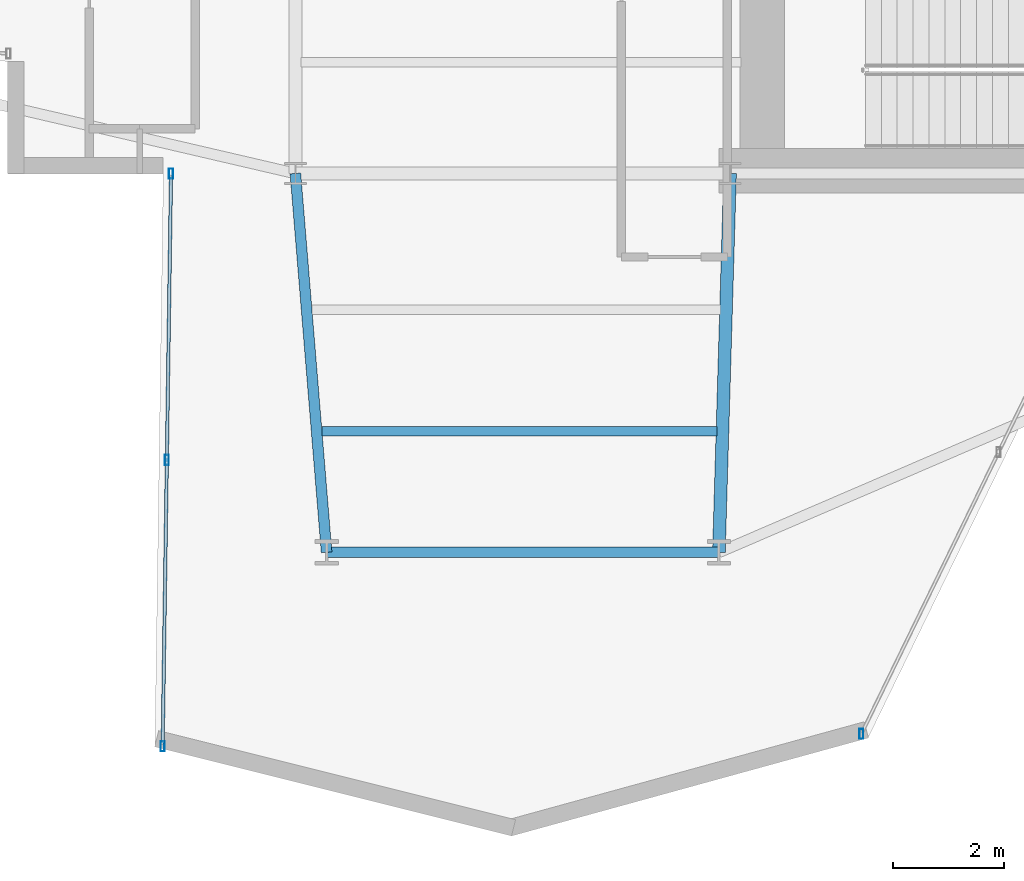
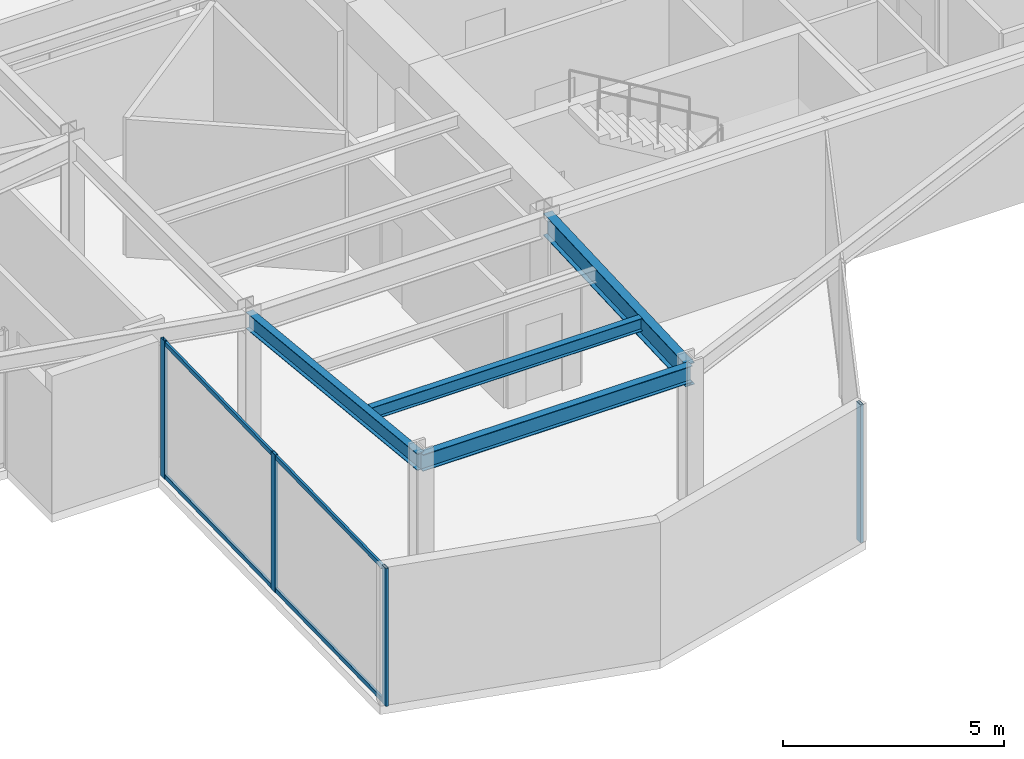
# One storey, part 4 of 25: 6 members, 4 beams, 2 elements without a shape of their own.
"""IFC4 building model written with IfcOpenShell, lengths in metres."""

from ifc_helpers import new_model, si_unit, direction, frame, origin, origin_2d, place, context, subcontext, project, spatial, hollow_rectangle, i_section, extrude, material, layer, layer_set, material_profile, profile_set, type_object, element, aggregate, save


model = new_model("IFC4")

# Units and contexts
model_context = context("Model", 3, precision=1e-05, world=origin(), true_north=direction((0.0, 1.0)))
body_context = subcontext(model_context, "Body", "Model", "MODEL_VIEW")
ifc_project = project(units=[si_unit("LENGTHUNIT", "METRE"), si_unit("AREAUNIT", "SQUARE_METRE"), si_unit("VOLUMEUNIT", "CUBIC_METRE"), si_unit("PLANEANGLEUNIT", "RADIAN"), si_unit("MASSUNIT", "GRAM", prefix="KILO")], contexts=[model_context])

# Site, building, storey
site_placement = place(None, origin())
site = spatial("IfcSite", under=ifc_project, at=site_placement, CompositionType="ELEMENT")
building_placement = place(site_placement, origin())
building = spatial("IfcBuilding", under=site, at=building_placement, Name="Veymaron Broadcast Tower", CompositionType="ELEMENT")
storey_placement = place(building_placement, frame((0.0, 0.0, 116.85009765625)))
storey = spatial("IfcBuildingStorey", under=building, at=storey_placement, Name="L26", CompositionType="ELEMENT", Elevation=116.85009765625)

# Beams
ifc_material_1 = material(Name="Structural steel ASTM A992 Gr 50", Category="steel")
ifc_material_profile_1 = material_profile(ifc_material_1, i_section(OverallWidth=0.22802734375, OverallDepth=0.60791015625, WebThickness=0.01123046875, FlangeThickness=0.017333984375, at=origin_2d()), Name="W610X113")
ifc_profile_set_1 = profile_set([ifc_material_profile_1], Name="Structural steel ASTM A992 Gr 50")
beam_type_1 = type_object("IfcBeamType", Name="BM-FG2", PredefinedType="BEAM", material=ifc_profile_set_1)
beam_1_placement = place(storey_placement, frame((39.0, 16.0, 3.505859375), z_axis=(-0.029391669433, -0.99956797156, 0.0), x_axis=(0.99956797156, -0.029391669433, 0.0)))
element("IfcBeam", 1, at=beam_1_placement, inside=storey, type_object=beam_type_1, Name="L26 primary structural floor girder", PredefinedType="BEAM", context=body_context, shape_type="SweptSolid", body=[
    extrude(i_section(OverallWidth=0.22802734375, OverallDepth=0.60791015625, WebThickness=0.01123046875, FlangeThickness=0.017333984375, at=origin_2d()), origin(), (0.0, 0.0, 1.0), 6.802978515625),
])
ifc_material_profile_2 = material_profile(ifc_material_1, i_section(OverallWidth=0.1708984375, OverallDepth=0.35498046875, WebThickness=0.007080078125, FlangeThickness=0.01171875, at=origin_2d()), Name="W360X51")
ifc_profile_set_2 = profile_set([ifc_material_profile_2], Name="Structural steel ASTM A992 Gr 50")
beam_type_2 = type_object("IfcBeamType", Name="BM-JS2", PredefinedType="JOIST", material=ifc_profile_set_2)
beam_2_placement = place(storey_placement, frame((31.680908203125, 11.3759765625, 3.63232421875), z_axis=(1.0, 0.0, 0.0), x_axis=(0.0, 1.0, 0.0)))
element("IfcBeam", 2, at=beam_2_placement, inside=storey, type_object=beam_type_2, Name="L26 Arm-C secondary joist 2", PredefinedType="JOIST", context=body_context, shape_type="SweptSolid", body=[
    extrude(i_section(OverallWidth=0.1708984375, OverallDepth=0.35498046875, WebThickness=0.007080078125, FlangeThickness=0.01171875, at=origin_2d()), origin(), (0.0, 0.0, 1.0), 7.0830078125),
])
ifc_material_profile_3 = material_profile(ifc_material_1, i_section(OverallWidth=0.19091796875, OverallDepth=0.4599609375, WebThickness=0.010009765625, FlangeThickness=0.01611328125, at=origin_2d()), Name="W460X82")
ifc_profile_set_3 = profile_set([ifc_material_profile_3], Name="Structural steel ASTM A992 Gr 50")
beam_type_3 = type_object("IfcBeamType", Name="BM-SP1", PredefinedType="SPANDREL", material=ifc_profile_set_3)
beam_3_placement = place(storey_placement, frame((31.199951171875, 16.0, 3.579833984375), z_axis=(0.082083038904, -0.996625493716, 0.0), x_axis=(0.996625493716, 0.082083038904, 0.0)))
element("IfcBeam", 3, at=beam_3_placement, inside=storey, type_object=beam_type_3, Name="L26 primary structural floor girder", PredefinedType="SPANDREL", context=body_context, shape_type="SweptSolid", body=[
    extrude(i_section(OverallWidth=0.19091796875, OverallDepth=0.4599609375, WebThickness=0.010009765625, FlangeThickness=0.01611328125, at=origin_2d()), origin(), (0.0, 0.0, 1.0), 6.822998046875),
])
beam_4_placement = place(storey_placement, frame((31.760009765625, 9.199951171875, 3.579833984375), z_axis=(1.0, 0.0, 0.0), x_axis=(0.0, 1.0, 0.0)))
element("IfcBeam", 4, at=beam_4_placement, inside=storey, type_object=beam_type_3, Name="L26 primary structural floor girder", PredefinedType="SPANDREL", context=body_context, shape_type="SweptSolid", body=[
    extrude(i_section(OverallWidth=0.19091796875, OverallDepth=0.4599609375, WebThickness=0.010009765625, FlangeThickness=0.01611328125, at=origin_2d()), origin(), (0.0, 0.0, 1.0), 7.0400390625),
])

# Curtain wall, members
ifc_material_2 = material(Name="Anodised aluminium AA 6063-T6 and laminated low-E dark glass", Category="aluminium")
ifc_layer = layer(ifc_material_2, 0.179931640625)
ifc_layer_set = layer_set([ifc_layer], Name="Anodised aluminium AA 6063-T6 and laminated low-E dark glass")
curtain_wall_type = type_object("IfcCurtainWallType", Name="CW-SYS-03", PredefinedType="NOTDEFINED", material=ifc_layer_set)
curtain_wall_1_placement = place(storey_placement, origin())
curtain_wall_1 = element("IfcCurtainWall", 5, at=curtain_wall_1_placement, inside=storey, type_object=curtain_wall_type, Name="L26 dark-glass curtain wall CW-L26-E17-1", PredefinedType="NOTDEFINED")
ifc_material_3 = material(Name="Anodised aluminium AA 6063-T6", Category="aluminium")
ifc_material_profile_4 = material_profile(ifc_material_3, hollow_rectangle(XDim=0.074951171875, YDim=0.179931640625, WallThickness=0.0048828125, at=origin_2d()), Name="AL180X75X5")
ifc_profile_set_4 = profile_set([ifc_material_profile_4], Name="Anodised aluminium AA 6063-T6")
member_type_1 = type_object("IfcMemberType", Name="CW-MUL-02", PredefinedType="MULLION", material=ifc_profile_set_4)
member_1_placement = place(storey_placement, frame((28.96826171875, 15.998046875, 0.0), z_axis=(0.0, 0.0, 1.0), x_axis=(1.0, 0.0, 0.0)))
member_1 = element("IfcMember", 6, at=member_1_placement, type_object=member_type_1, Name="CW-L26-E17-1 mullion 0", PredefinedType="MULLION", context=body_context, shape_type="SweptSolid", body=[
    extrude(hollow_rectangle(XDim=0.074951171875, YDim=0.179931640625, WallThickness=0.0048828125, at=origin_2d()), origin(), (0.0, 0.0, 1.0), 3.809814453125),
])
member_2_placement = place(storey_placement, frame((28.89306640625, 10.85791015625, 0.0), z_axis=(0.0, 0.0, 1.0), x_axis=(1.0, 0.0, 0.0)))
member_2 = element("IfcMember", 7, at=member_2_placement, type_object=member_type_1, Name="CW-L26-E17-1 mullion 1", PredefinedType="MULLION", context=body_context, shape_type="SweptSolid", body=[
    extrude(hollow_rectangle(XDim=0.074951171875, YDim=0.179931640625, WallThickness=0.0048828125, at=origin_2d()), origin(), (0.0, 0.0, 1.0), 3.809814453125),
])
member_3_placement = place(storey_placement, frame((28.81787109375, 5.718017578125, 0.0), z_axis=(0.0, 0.0, 1.0), x_axis=(1.0, 0.0, 0.0)))
member_3 = element("IfcMember", 8, at=member_3_placement, type_object=member_type_1, Name="CW-L26-E17-1 mullion 2", PredefinedType="MULLION", context=body_context, shape_type="SweptSolid", body=[
    extrude(hollow_rectangle(XDim=0.074951171875, YDim=0.179931640625, WallThickness=0.0048828125, at=origin_2d()), origin(), (0.0, 0.0, 1.0), 3.809814453125),
])

# Curtain wall, member
curtain_wall_2_placement = place(storey_placement, origin())
curtain_wall_2 = element("IfcCurtainWall", 9, at=curtain_wall_2_placement, inside=storey, type_object=curtain_wall_type, Name="L26 dark-glass curtain wall CW-L26-E20-1", PredefinedType="NOTDEFINED")
member_4_placement = place(storey_placement, frame((41.356201171875, 5.94140625, 0.0), z_axis=(0.0, 0.0, 1.0), x_axis=(1.0, 0.0, 0.0)))
member_4 = element("IfcMember", 10, at=member_4_placement, type_object=member_type_1, Name="CW-L26-E20-1 mullion 0", PredefinedType="MULLION", context=body_context, shape_type="SweptSolid", body=[
    extrude(hollow_rectangle(XDim=0.074951171875, YDim=0.179931640625, WallThickness=0.0048828125, at=origin_2d()), origin(), (0.0, 0.0, 1.0), 3.809814453125),
])
aggregate(curtain_wall_2, [member_4])

# Member
ifc_material_profile_5 = material_profile(ifc_material_3, hollow_rectangle(XDim=0.06005859375, YDim=0.1201171875, WallThickness=0.00390625, at=origin_2d()), Name="AL120X60X4")
ifc_profile_set_5 = profile_set([ifc_material_profile_5], Name="Anodised aluminium AA 6063-T6")
member_type_2 = type_object("IfcMemberType", Name="CW-TRN-02", PredefinedType="USERDEFINED", material=ifc_profile_set_5)
member_5_placement = place(storey_placement, frame((28.967529296875, 15.947998046875, 0.06982421875), z_axis=(-0.014627784613, -0.999893008235, 0.0), x_axis=(0.999893008235, -0.014627784613, 0.0)))
member_5 = element("IfcMember", 11, at=member_5_placement, type_object=member_type_2, Name="CW-L26-E17-1 transom B", ObjectType="TRANSOM", PredefinedType="USERDEFINED", context=body_context, shape_type="SweptSolid", body=[
    extrude(hollow_rectangle(XDim=0.06005859375, YDim=0.1201171875, WallThickness=0.00390625, at=origin_2d()), origin(), (0.0, 0.0, 1.0), 10.180908203125),
])

member_6_placement = place(storey_placement, frame((28.967529296875, 15.947998046875, 3.739990234375), z_axis=(-0.014627784613, -0.999893008235, 0.0), x_axis=(0.999893008235, -0.014627784613, 0.0)))
member_6 = element("IfcMember", 12, at=member_6_placement, type_object=member_type_2, Name="CW-L26-E17-1 transom T", ObjectType="TRANSOM", PredefinedType="USERDEFINED", context=body_context, shape_type="SweptSolid", body=[
    extrude(hollow_rectangle(XDim=0.06005859375, YDim=0.1201171875, WallThickness=0.00390625, at=origin_2d()), origin(), (0.0, 0.0, 1.0), 10.180908203125),
])

aggregate(curtain_wall_1, [member_1, member_2, member_3, member_5, member_6])

save(model, "model.ifc")
